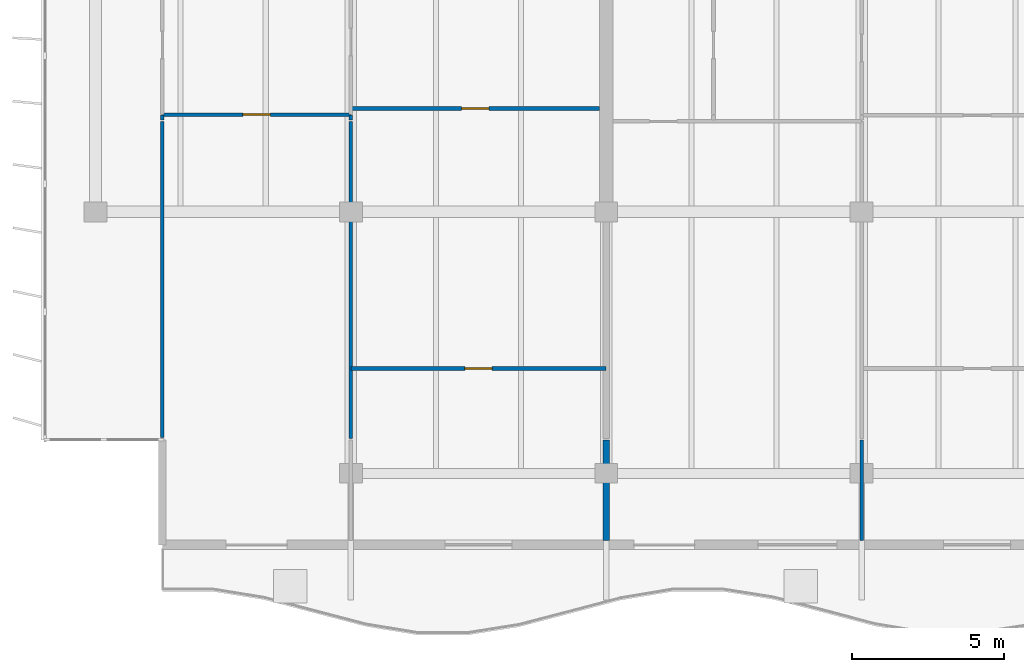
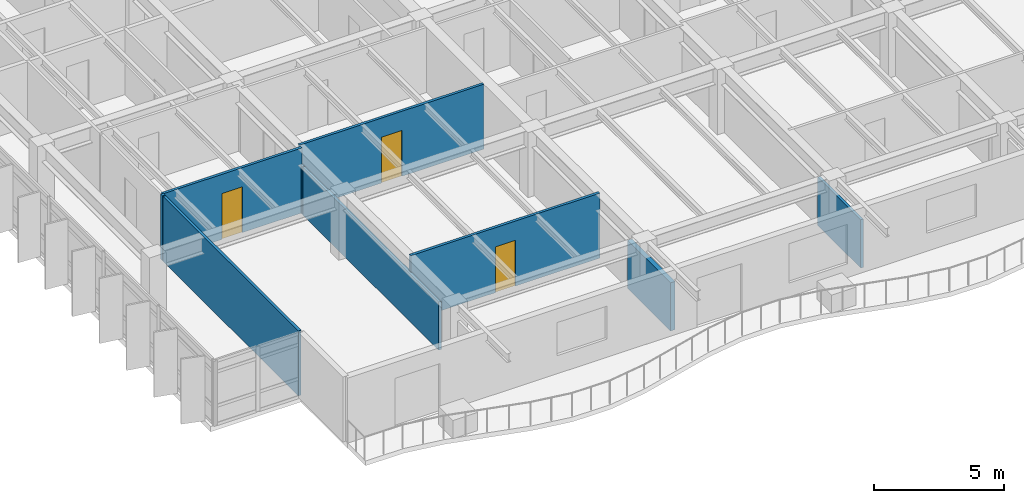
# One storey, part 6 of 19: 9 walls, 3 doors, 3 openings.
"""IFC4 building model written with IfcOpenShell, lengths in metres."""

from ifc_helpers import new_model, si_unit, direction, frame, frame_2d, origin, place, context, subcontext, project, spatial, rectangle, extrude, material, layer, layer_set, type_object, element, fill, save


model = new_model("IFC4")

# Units and contexts
model_context = context("Model", 3, precision=1e-05, world=origin(), true_north=direction((0.0, 1.0)))
body_context = subcontext(model_context, "Body", "Model", "MODEL_VIEW")
ifc_project = project(units=[si_unit("LENGTHUNIT", "METRE"), si_unit("AREAUNIT", "SQUARE_METRE"), si_unit("VOLUMEUNIT", "CUBIC_METRE"), si_unit("PLANEANGLEUNIT", "RADIAN"), si_unit("MASSUNIT", "GRAM", prefix="KILO")], contexts=[model_context])

# Site, building, storey
site_placement = place(None, origin())
site = spatial("IfcSite", under=ifc_project, at=site_placement, CompositionType="ELEMENT")
building_placement = place(site_placement, origin())
building = spatial("IfcBuilding", under=site, at=building_placement, Name="Caelmar Bay Residences", CompositionType="ELEMENT")
storey_placement = place(building_placement, frame((0.0, 0.0, 256.199951171875)))
storey = spatial("IfcBuildingStorey", under=building, at=storey_placement, Name="L72", CompositionType="ELEMENT", Elevation=256.199951171875)

# Walls
ifc_material_1 = material(Name="Acoustic metal-stud gypsum partition 120 mm")
ifc_layer_1 = layer(ifc_material_1, 0.1201171875)
ifc_layer_set_1 = layer_set([ifc_layer_1], Name="Acoustic metal-stud gypsum partition 120 mm")
wall_type_1 = type_object("IfcWallType", Name="W-PRT-120", PredefinedType="PARTITIONING", material=ifc_layer_set_1)
wall_1_placement = place(storey_placement, frame((12.10009765625, 13.385009765625, 0.0), z_axis=(0.0, 0.0, 1.0), x_axis=(0.0, 1.0, 0.0)))
element("IfcWall", 1, at=wall_1_placement, inside=storey, type_object=wall_type_1, Name="L72 Partition Wall V001", PredefinedType="PARTITIONING", context=body_context, shape_type="SweptSolid", body=[
    extrude(rectangle(XDim=10.39501953125, YDim=0.1201171875, at=frame_2d((5.197509765625, 0.0))), origin(), (0.0, 0.0, 1.0), 3.050048828125),
])
wall_2_placement = place(storey_placement, frame((12.10009765625, 23.830078125, 0.0), z_axis=(0.0, 0.0, 1.0), x_axis=(0.0, 1.0, 0.0)))
element("IfcWall", 2, at=wall_2_placement, inside=storey, type_object=wall_type_1, Name="L72 Partition Wall V002", PredefinedType="PARTITIONING", context=body_context, shape_type="SweptSolid", body=[
    extrude(rectangle(XDim=0.14990234375, YDim=0.1201171875, at=frame_2d((0.074951171875, 0.0))), origin(), (0.0, 0.0, 1.0), 3.050048828125),
])
wall_3_placement = place(storey_placement, frame((18.300048828125, 13.340087890625, 0.0), z_axis=(0.0, 0.0, 1.0), x_axis=(0.0, 1.0, 0.0)))
element("IfcWall", 3, at=wall_3_placement, inside=storey, type_object=wall_type_1, Name="L72 Partition Wall V010", PredefinedType="PARTITIONING", context=body_context, shape_type="SweptSolid", body=[
    extrude(rectangle(XDim=10.43994140625, YDim=0.1201171875, at=frame_2d((5.219970703125, 0.0))), origin(), (0.0, 0.0, 1.0), 2.262939453125),
])
wall_4_placement = place(storey_placement, frame((18.300048828125, 23.830078125, 0.0), z_axis=(0.0, 0.0, 1.0), x_axis=(0.0, 1.0, 0.0)))
element("IfcWall", 4, at=wall_4_placement, inside=storey, type_object=wall_type_1, Name="L72 Partition Wall V011", PredefinedType="PARTITIONING", context=body_context, shape_type="SweptSolid", body=[
    extrude(rectangle(XDim=0.14990234375, YDim=0.1201171875, at=frame_2d((0.074951171875, 0.0))), origin(), (0.0, 0.0, 1.0), 2.262939453125),
])
wall_5_placement = place(storey_placement, frame((35.10009765625, 9.9951171875, 0.0), z_axis=(0.0, 0.0, 1.0), x_axis=(0.0, 1.0, 0.0)))
element("IfcWall", 5, at=wall_5_placement, inside=storey, type_object=wall_type_1, Name="L72 Partition Wall V025", PredefinedType="PARTITIONING", context=body_context, shape_type="SweptSolid", body=[
    extrude(rectangle(XDim=3.304931640625, YDim=0.1201171875, at=frame_2d((1.65234375, 0.0))), origin(), (0.0, 0.0, 1.0), 2.262939453125),
])

# Wall, opening, door
wall_6_placement = place(storey_placement, frame((18.300048828125, 15.64990234375, 0.0), z_axis=(0.0, 0.0, 1.0), x_axis=(1.0, 0.0, 0.0)))
wall_6 = element("IfcWall", 6, at=wall_6_placement, inside=storey, type_object=wall_type_1, Name="L72 Partition Wall H069", PredefinedType="PARTITIONING", context=body_context, shape_type="SweptSolid", body=[
    extrude(rectangle(XDim=8.39990234375, YDim=0.1201171875, at=frame_2d((4.199951171875, 0.0))), origin(), (0.0, 0.0, 1.0), 3.050048828125),
])
opening_1_placement = place(wall_6_placement, frame((3.75, 0.0, 0.0)))
opening_1 = element("IfcOpeningElement", 7, at=opening_1_placement, cuts=wall_6, Name="Opening D-L72-128", PredefinedType="OPENING", context=body_context, shape_type="SweptSolid", body=[
    extrude(rectangle(XDim=0.89990234375, YDim=2.14990234375, at=frame_2d((0.449951171875, 1.074951171875))), frame((0.0, 0.070068359375, 0.0), z_axis=(0.0, -1.0, 0.0), x_axis=(1.0, 0.0, 0.0)), (0.0, 0.0, 1.0), 0.14013671875),
])
ifc_material_2 = material(Name="Solid walnut timber interior door leaf and frame", Category="wood")
ifc_layer_2 = layer(ifc_material_2, 0.050048828125)
ifc_layer_set_2 = layer_set([ifc_layer_2], Name="Solid walnut timber interior door leaf and frame")
door_type = type_object("IfcDoorType", Name="D-ROOM-900", OperationType="NOTDEFINED", PredefinedType="DOOR", material=ifc_layer_set_2)
door_1_placement = place(opening_1_placement, origin())
door_1 = element("IfcDoor", 8, at=door_1_placement, inside=storey, type_object=door_type, Name="L72 Residence 01 Primary Bedroom 1 Door", OperationType="SINGLE_SWING_RIGHT", OverallHeight=2.14990234375, OverallWidth=0.89990234375, PredefinedType="DOOR", context=body_context, shape_type="SweptSolid", body=[
    extrude(rectangle(XDim=0.89990234375, YDim=2.14990234375, at=frame_2d((0.449951171875, 1.074951171875))), frame((0.0, 0.02490234375, 0.0), z_axis=(0.0, -1.0, 0.0), x_axis=(1.0, 0.0, 0.0)), (0.0, 0.0, 1.0), 0.050048828125),
])
fill(opening_1, door_1)

wall_7_placement = place(storey_placement, frame((12.10009765625, 24.0, 0.0), z_axis=(0.0, 0.0, 1.0), x_axis=(1.0, 0.0, 0.0)))
wall_7 = element("IfcWall", 9, at=wall_7_placement, inside=storey, type_object=wall_type_1, Name="L72 Partition Wall H077", PredefinedType="PARTITIONING", context=body_context, shape_type="SweptSolid", body=[
    extrude(rectangle(XDim=6.199951171875, YDim=0.1201171875, at=frame_2d((3.10009765625, 0.0))), origin(), (0.0, 0.0, 1.0), 3.050048828125),
])
opening_2_placement = place(wall_7_placement, frame((2.64990234375, 0.0, 0.0)))
opening_2 = element("IfcOpeningElement", 10, at=opening_2_placement, cuts=wall_7, Name="Opening D-L72-123", PredefinedType="OPENING", context=body_context, shape_type="SweptSolid", body=[
    extrude(rectangle(XDim=0.89990234375, YDim=2.14990234375, at=frame_2d((0.449951171875, 1.074951171875))), frame((0.0, 0.070068359375, 0.0), z_axis=(0.0, -1.0, 0.0), x_axis=(1.0, 0.0, 0.0)), (0.0, 0.0, 1.0), 0.14013671875),
])
door_2_placement = place(opening_2_placement, origin())
door_2 = element("IfcDoor", 11, at=door_2_placement, inside=storey, type_object=door_type, Name="L72 Residence 01 Penthouse Living Salon Door", OperationType="SINGLE_SWING_LEFT", OverallHeight=2.14990234375, OverallWidth=0.89990234375, PredefinedType="DOOR", context=body_context, shape_type="SweptSolid", body=[
    extrude(rectangle(XDim=0.89990234375, YDim=2.14990234375, at=frame_2d((0.449951171875, 1.074951171875))), frame((0.0, 0.02490234375, 0.0), z_axis=(0.0, -1.0, 0.0), x_axis=(1.0, 0.0, 0.0)), (0.0, 0.0, 1.0), 0.050048828125),
])
fill(opening_2, door_2)

wall_8_placement = place(storey_placement, frame((18.304931640625, 24.199951171875, 0.0), z_axis=(0.0, 0.0, 1.0), x_axis=(1.0, 0.0, 0.0)))
wall_8 = element("IfcWall", 12, at=wall_8_placement, inside=storey, type_object=wall_type_1, Name="L72 Partition Wall H078", PredefinedType="PARTITIONING", context=body_context, shape_type="SweptSolid", body=[
    extrude(rectangle(XDim=8.175048828125, YDim=0.1201171875, at=frame_2d((4.08740234375, 0.0))), origin(), (0.0, 0.0, 1.0), 3.050048828125),
])
opening_3_placement = place(wall_8_placement, frame((3.637451171875, 0.0, 0.0)))
opening_3 = element("IfcOpeningElement", 13, at=opening_3_placement, cuts=wall_8, Name="Opening D-L72-127", PredefinedType="OPENING", context=body_context, shape_type="SweptSolid", body=[
    extrude(rectangle(XDim=0.89990234375, YDim=2.14990234375, at=frame_2d((0.449951171875, 1.074951171875))), frame((0.0, 0.070068359375, 0.0), z_axis=(0.0, -1.0, 0.0), x_axis=(1.0, 0.0, 0.0)), (0.0, 0.0, 1.0), 0.14013671875),
])
door_3_placement = place(opening_3_placement, origin())
door_3 = element("IfcDoor", 14, at=door_3_placement, inside=storey, type_object=door_type, Name="L72 Residence 01 Penthouse Sitting Salon 1 Door", OperationType="SINGLE_SWING_LEFT", OverallHeight=2.14990234375, OverallWidth=0.89990234375, PredefinedType="DOOR", context=body_context, shape_type="SweptSolid", body=[
    extrude(rectangle(XDim=0.89990234375, YDim=2.14990234375, at=frame_2d((0.449951171875, 1.074951171875))), frame((0.0, 0.02490234375, 0.0), z_axis=(0.0, -1.0, 0.0), x_axis=(1.0, 0.0, 0.0)), (0.0, 0.0, 1.0), 0.050048828125),
])
fill(opening_3, door_3)

# Wall
ifc_material_3 = material(Name="Acoustic twin-stud fire-rated inter-tenancy partition 200 mm")
ifc_layer_3 = layer(ifc_material_3, 0.199951171875)
ifc_layer_set_3 = layer_set([ifc_layer_3], Name="Acoustic twin-stud fire-rated inter-tenancy partition 200 mm")
wall_type_2 = type_object("IfcWallType", Name="W-PTY-200", PredefinedType="PARTITIONING", material=ifc_layer_set_3)
wall_9_placement = place(storey_placement, frame((26.699951171875, 9.9951171875, 0.0), z_axis=(0.0, 0.0, 1.0), x_axis=(0.0, 1.0, 0.0)))
element("IfcWall", 15, at=wall_9_placement, inside=storey, type_object=wall_type_2, Name="L72 Partition Wall V017", PredefinedType="PARTITIONING", context=body_context, shape_type="SweptSolid", body=[
    extrude(rectangle(XDim=3.304931640625, YDim=0.199951171875, at=frame_2d((1.65234375, 0.0))), origin(), (0.0, 0.0, 1.0), 2.262939453125),
])

save(model, "model.ifc")
